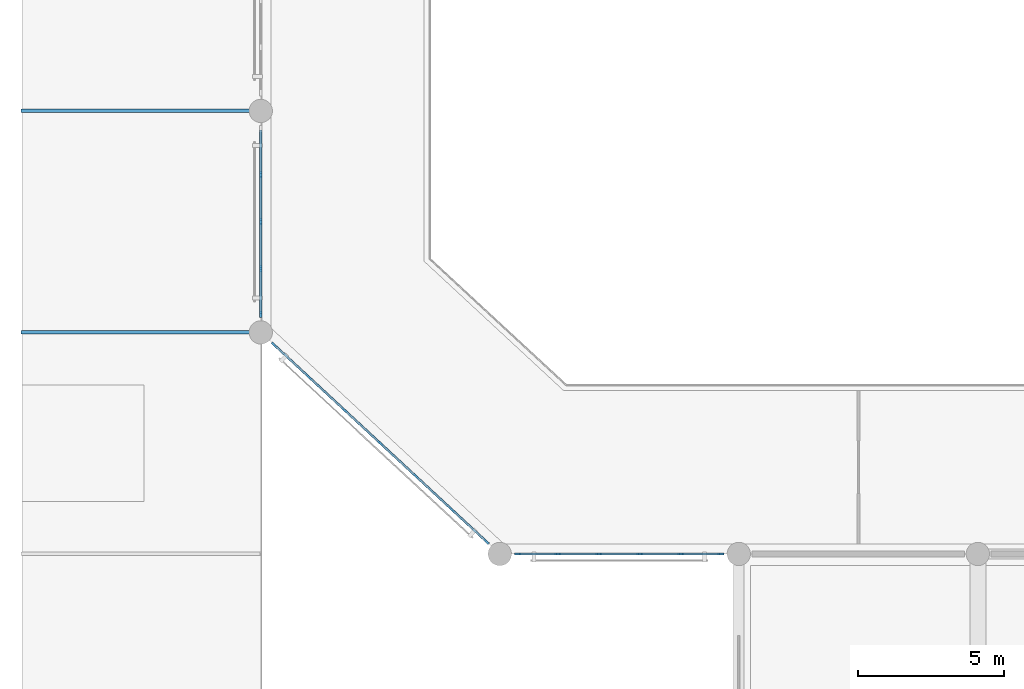
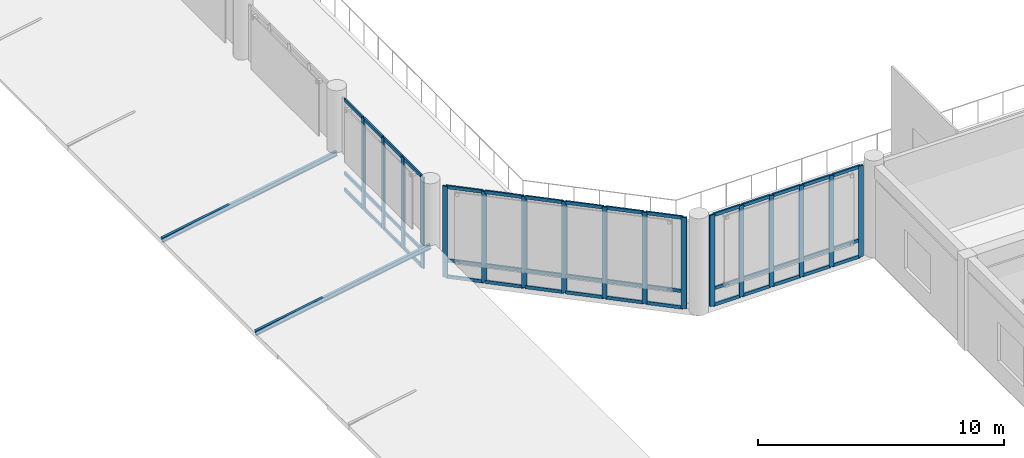
# One storey, part 5 of 57: 64 members, 3 elements without a shape of their own.
"""IFC4 building model written with IfcOpenShell, lengths in metres."""

from ifc_helpers import new_model, si_unit, direction, frame, origin, origin_2d, place, context, subcontext, project, spatial, rectangle, i_section, extrude, material, material_profile, profile_set, type_object, element, aggregate, save


model = new_model("IFC4")

# Units and contexts
model_context = context("Model", 3, precision=1e-05, world=origin(), true_north=direction((0.0, 1.0)))
body_context = subcontext(model_context, "Body", "Model", "MODEL_VIEW")
ifc_project = project(units=[si_unit("LENGTHUNIT", "METRE"), si_unit("AREAUNIT", "SQUARE_METRE"), si_unit("VOLUMEUNIT", "CUBIC_METRE"), si_unit("PLANEANGLEUNIT", "RADIAN"), si_unit("MASSUNIT", "GRAM", prefix="KILO")], contexts=[model_context])

# Site, building, storey
site_placement = place(None, origin())
site = spatial("IfcSite", under=ifc_project, at=site_placement, CompositionType="ELEMENT")
building_placement = place(site_placement, origin())
building = spatial("IfcBuilding", under=site, at=building_placement, Name="Qandaris Square Conservatory and Botanical Centre", CompositionType="ELEMENT")
storey_placement = place(building_placement, frame((0.0, 0.0, 5.39990234375)))
storey = spatial("IfcBuildingStorey", under=building, at=storey_placement, Name="L01", CompositionType="ELEMENT", Elevation=5.39990234375)

# Members
ifc_material_1 = material(Name="Steel S355", Category="steel")
ifc_material_profile_1 = material_profile(ifc_material_1, i_section(OverallWidth=0.1201171875, OverallDepth=0.239990234375, WebThickness=0.006103515625, FlangeThickness=0.009765625, FilletRadius=0.014892578125, at=origin_2d()), Name="IPE 240")
ifc_profile_set_1 = profile_set([ifc_material_profile_1], Name="Steel S355")
member_type_1 = type_object("IfcMemberType", Name="Colonnade Prairie Rafter IPE 240", PredefinedType="RAFTER", material=ifc_profile_set_1)
for number, where, z_axis, x_axis, name in (
    (1, (8.0, 54.60009765625, 0.0), (0.984924346364, 0.0, 0.172985640849), (0.0, 1.0, 0.0), "Colonnade West Rafter 044"),
    (2, (8.0, 62.199951171875, 0.0), (0.984924346364, 0.0, 0.172985640849), (0.0, 1.0, 0.0), "Colonnade West Rafter 046"),
):
    element("IfcMember", number, at=place(storey_placement, frame(where, z_axis=z_axis, x_axis=x_axis)), inside=storey, type_object=member_type_1, Name=name, PredefinedType="RAFTER", context=body_context, shape_type="SweptSolid", body=[
        extrude(i_section(OverallWidth=0.1201171875, OverallDepth=0.239990234375, WebThickness=0.006103515625, FlangeThickness=0.009765625, FilletRadius=0.014892578125, at=origin_2d()), origin(), (0.0, 0.0, 1.0), 8.325439453125),
    ])

# Curtain wall, members
ifc_material_2 = material(Name="Anodised Aluminium", Category="aluminium")
curtain_wall_type_1 = type_object("IfcCurtainWallType", Name="Unitised Curtain Wall CW-1-704x452", PredefinedType="USERDEFINED", material=ifc_material_2)
curtain_wall_1_placement = place(storey_placement, origin())
curtain_wall_1 = element("IfcCurtainWall", 3, at=curtain_wall_1_placement, inside=storey, type_object=curtain_wall_type_1, Name="Curtain Wall CW-CON-L01-0W", ObjectType="GLAZED CURTAIN WALL", PredefinedType="USERDEFINED")
ifc_material_profile_2 = material_profile(ifc_material_2, rectangle(XDim=0.074951171875, YDim=0.219970703125, at=origin_2d()), Name="ALU-MUL 75x220")
ifc_profile_set_2 = profile_set([ifc_material_profile_2], Name="Anodised Aluminium")
member_type_2 = type_object("IfcMemberType", Name="Conservatory Heavy Mullion 75x220", PredefinedType="MULLION", material=ifc_profile_set_2)
member_1_placement = place(storey_placement, frame((25.017578125, 47.0, 0.0), z_axis=(0.0, 0.0, 1.0), x_axis=(0.0, 1.0, 0.0)))
member_1 = element("IfcMember", 4, at=member_1_placement, type_object=member_type_2, Name="CW-1-704x452 mullion 1", PredefinedType="MULLION", context=body_context, shape_type="SweptSolid", body=[
    extrude(rectangle(XDim=0.074951171875, YDim=0.219970703125, at=origin_2d()), origin(), (0.0, 0.0, 1.0), 4.52001953125),
])
member_2_placement = place(storey_placement, frame((26.387939453125, 47.0, 0.0), z_axis=(0.0, 0.0, 1.0), x_axis=(0.0, 1.0, 0.0)))
member_2 = element("IfcMember", 5, at=member_2_placement, type_object=member_type_2, Name="CW-1-704x452 mullion 2", PredefinedType="MULLION", context=body_context, shape_type="SweptSolid", body=[
    extrude(rectangle(XDim=0.074951171875, YDim=0.219970703125, at=origin_2d()), origin(), (0.0, 0.0, 1.0), 4.52001953125),
])
member_3_placement = place(storey_placement, frame((27.7958984375, 47.0, 0.0), z_axis=(0.0, 0.0, 1.0), x_axis=(0.0, 1.0, 0.0)))
member_3 = element("IfcMember", 6, at=member_3_placement, type_object=member_type_2, Name="CW-1-704x452 mullion 3", PredefinedType="MULLION", context=body_context, shape_type="SweptSolid", body=[
    extrude(rectangle(XDim=0.074951171875, YDim=0.219970703125, at=origin_2d()), origin(), (0.0, 0.0, 1.0), 4.52001953125),
])
member_4_placement = place(storey_placement, frame((29.2041015625, 47.0, 0.0), z_axis=(0.0, 0.0, 1.0), x_axis=(0.0, 1.0, 0.0)))
member_4 = element("IfcMember", 7, at=member_4_placement, type_object=member_type_2, Name="CW-1-704x452 mullion 4", PredefinedType="MULLION", context=body_context, shape_type="SweptSolid", body=[
    extrude(rectangle(XDim=0.074951171875, YDim=0.219970703125, at=origin_2d()), origin(), (0.0, 0.0, 1.0), 4.52001953125),
])
member_5_placement = place(storey_placement, frame((30.612060546875, 47.0, 0.0), z_axis=(0.0, 0.0, 1.0), x_axis=(0.0, 1.0, 0.0)))
member_5 = element("IfcMember", 8, at=member_5_placement, type_object=member_type_2, Name="CW-1-704x452 mullion 5", PredefinedType="MULLION", context=body_context, shape_type="SweptSolid", body=[
    extrude(rectangle(XDim=0.074951171875, YDim=0.219970703125, at=origin_2d()), origin(), (0.0, 0.0, 1.0), 4.52001953125),
])
member_6_placement = place(storey_placement, frame((31.982421875, 47.0, 0.0), z_axis=(0.0, 0.0, 1.0), x_axis=(0.0, 1.0, 0.0)))
member_6 = element("IfcMember", 9, at=member_6_placement, type_object=member_type_2, Name="CW-1-704x452 mullion 6", PredefinedType="MULLION", context=body_context, shape_type="SweptSolid", body=[
    extrude(rectangle(XDim=0.074951171875, YDim=0.219970703125, at=origin_2d()), origin(), (0.0, 0.0, 1.0), 4.52001953125),
])

curtain_wall_type_2 = type_object("IfcCurtainWallType", Name="Unitised Curtain Wall CW-1-644x452", PredefinedType="USERDEFINED", material=ifc_material_2)
curtain_wall_2_placement = place(storey_placement, origin())
curtain_wall_2 = element("IfcCurtainWall", 10, at=curtain_wall_2_placement, inside=storey, type_object=curtain_wall_type_2, Name="Curtain Wall CW-CON-L01-7-7", ObjectType="GLAZED CURTAIN WALL", PredefinedType="USERDEFINED")
member_7_placement = place(storey_placement, frame((16.199951171875, 60.010009765625, 0.0), z_axis=(0.0, 0.0, 1.0), x_axis=(1.0, 0.0, 0.0)))
member_7 = element("IfcMember", 11, at=member_7_placement, type_object=member_type_2, Name="CW-1-644x452 mullion 2", PredefinedType="MULLION", context=body_context, shape_type="SweptSolid", body=[
    extrude(rectangle(XDim=0.074951171875, YDim=0.219970703125, at=origin_2d()), origin(), (0.0, 0.0, 1.0), 4.52001953125),
])
member_8_placement = place(storey_placement, frame((16.199951171875, 58.39990234375, 0.0), z_axis=(0.0, 0.0, 1.0), x_axis=(1.0, 0.0, 0.0)))
member_8 = element("IfcMember", 12, at=member_8_placement, type_object=member_type_2, Name="CW-1-644x452 mullion 3", PredefinedType="MULLION", context=body_context, shape_type="SweptSolid", body=[
    extrude(rectangle(XDim=0.074951171875, YDim=0.219970703125, at=origin_2d()), origin(), (0.0, 0.0, 1.0), 4.52001953125),
])
member_9_placement = place(storey_placement, frame((16.199951171875, 56.7900390625, 0.0), z_axis=(0.0, 0.0, 1.0), x_axis=(1.0, 0.0, 0.0)))
member_9 = element("IfcMember", 13, at=member_9_placement, type_object=member_type_2, Name="CW-1-644x452 mullion 4", PredefinedType="MULLION", context=body_context, shape_type="SweptSolid", body=[
    extrude(rectangle(XDim=0.074951171875, YDim=0.219970703125, at=origin_2d()), origin(), (0.0, 0.0, 1.0), 4.52001953125),
])
member_10_placement = place(storey_placement, frame((16.199951171875, 55.217529296875, 0.0), z_axis=(0.0, 0.0, 1.0), x_axis=(1.0, 0.0, 0.0)))
member_10 = element("IfcMember", 14, at=member_10_placement, type_object=member_type_2, Name="CW-1-644x452 mullion 5", PredefinedType="MULLION", context=body_context, shape_type="SweptSolid", body=[
    extrude(rectangle(XDim=0.074951171875, YDim=0.219970703125, at=origin_2d()), origin(), (0.0, 0.0, 1.0), 4.52001953125),
])

curtain_wall_type_3 = type_object("IfcCurtainWallType", Name="Unitised Curtain Wall CW-1-1002x452", PredefinedType="USERDEFINED", material=ifc_material_2)
curtain_wall_3_placement = place(storey_placement, origin())
curtain_wall_3 = element("IfcCurtainWall", 15, at=curtain_wall_3_placement, inside=storey, type_object=curtain_wall_type_3, Name="Curtain Wall CW-CON-L01-8-1", ObjectType="GLAZED CURTAIN WALL", PredefinedType="USERDEFINED")
member_11_placement = place(storey_placement, frame((16.65283203125, 54.18017578125, 0.0), z_axis=(0.0, 0.0, 1.0), x_axis=(0.679761784592, 0.733432966404, 0.0)))
member_11 = element("IfcMember", 16, at=member_11_placement, type_object=member_type_2, Name="CW-1-1002x452 mullion 1", PredefinedType="MULLION", context=body_context, shape_type="SweptSolid", body=[
    extrude(rectangle(XDim=0.074951171875, YDim=0.219970703125, at=origin_2d()), origin(), (0.0, 0.0, 1.0), 4.52001953125),
])
member_12_placement = place(storey_placement, frame((17.850341796875, 53.070556640625, 0.0), z_axis=(0.0, 0.0, 1.0), x_axis=(0.679761784592, 0.733432966404, 0.0)))
member_12 = element("IfcMember", 17, at=member_12_placement, type_object=member_type_2, Name="CW-1-1002x452 mullion 2", PredefinedType="MULLION", context=body_context, shape_type="SweptSolid", body=[
    extrude(rectangle(XDim=0.074951171875, YDim=0.219970703125, at=origin_2d()), origin(), (0.0, 0.0, 1.0), 4.52001953125),
])
member_13_placement = place(storey_placement, frame((19.0751953125, 51.935302734375, 0.0), z_axis=(0.0, 0.0, 1.0), x_axis=(0.679761784592, 0.733432966404, 0.0)))
member_13 = element("IfcMember", 18, at=member_13_placement, type_object=member_type_2, Name="CW-1-1002x452 mullion 3", PredefinedType="MULLION", context=body_context, shape_type="SweptSolid", body=[
    extrude(rectangle(XDim=0.074951171875, YDim=0.219970703125, at=origin_2d()), origin(), (0.0, 0.0, 1.0), 4.52001953125),
])
member_14_placement = place(storey_placement, frame((20.300048828125, 50.800048828125, 0.0), z_axis=(0.0, 0.0, 1.0), x_axis=(0.679761784592, 0.733432966404, 0.0)))
member_14 = element("IfcMember", 19, at=member_14_placement, type_object=member_type_2, Name="CW-1-1002x452 mullion 4", PredefinedType="MULLION", context=body_context, shape_type="SweptSolid", body=[
    extrude(rectangle(XDim=0.074951171875, YDim=0.219970703125, at=origin_2d()), origin(), (0.0, 0.0, 1.0), 4.52001953125),
])
member_15_placement = place(storey_placement, frame((21.52490234375, 49.664794921875, 0.0), z_axis=(0.0, 0.0, 1.0), x_axis=(0.679761784592, 0.733432966404, 0.0)))
member_15 = element("IfcMember", 20, at=member_15_placement, type_object=member_type_2, Name="CW-1-1002x452 mullion 5", PredefinedType="MULLION", context=body_context, shape_type="SweptSolid", body=[
    extrude(rectangle(XDim=0.074951171875, YDim=0.219970703125, at=origin_2d()), origin(), (0.0, 0.0, 1.0), 4.52001953125),
])
member_16_placement = place(storey_placement, frame((22.749755859375, 48.529541015625, 0.0), z_axis=(0.0, 0.0, 1.0), x_axis=(0.679761784592, 0.733432966404, 0.0)))
member_16 = element("IfcMember", 21, at=member_16_placement, type_object=member_type_2, Name="CW-1-1002x452 mullion 6", PredefinedType="MULLION", context=body_context, shape_type="SweptSolid", body=[
    extrude(rectangle(XDim=0.074951171875, YDim=0.219970703125, at=origin_2d()), origin(), (0.0, 0.0, 1.0), 4.52001953125),
])
member_17_placement = place(storey_placement, frame((23.947021484375, 47.419677734375, 0.0), z_axis=(0.0, 0.0, 1.0), x_axis=(0.679761784592, 0.733432966404, 0.0)))
member_17 = element("IfcMember", 22, at=member_17_placement, type_object=member_type_2, Name="CW-1-1002x452 mullion 7", PredefinedType="MULLION", context=body_context, shape_type="SweptSolid", body=[
    extrude(rectangle(XDim=0.074951171875, YDim=0.219970703125, at=origin_2d()), origin(), (0.0, 0.0, 1.0), 4.52001953125),
])

# Member
ifc_material_profile_3 = material_profile(ifc_material_2, rectangle(XDim=0.074951171875, YDim=0.159912109375, at=origin_2d()), Name="ALU-TRN 75x160")
ifc_profile_set_3 = profile_set([ifc_material_profile_3], Name="Anodised Aluminium")
member_type_3 = type_object("IfcMemberType", Name="Conservatory Heavy Transom 75x160", PredefinedType="USERDEFINED", material=ifc_profile_set_3)
member_18_placement = place(storey_placement, frame((25.054931640625, 47.0, 0.03759765625), z_axis=(1.0, 0.0, 0.0), x_axis=(0.0, 1.0, 0.0)))
member_18 = element("IfcMember", 23, at=member_18_placement, type_object=member_type_3, Name="CW-1-704x452 transom 1.1", ObjectType="TRANSOM", PredefinedType="USERDEFINED", context=body_context, shape_type="SweptSolid", body=[
    extrude(rectangle(XDim=0.074951171875, YDim=0.159912109375, at=origin_2d()), origin(), (0.0, 0.0, 1.0), 1.295654296875),
])

member_19_placement = place(storey_placement, frame((25.054931640625, 47.0, 0.85009765625), z_axis=(1.0, 0.0, 0.0), x_axis=(0.0, 1.0, 0.0)))
member_19 = element("IfcMember", 24, at=member_19_placement, type_object=member_type_3, Name="CW-1-704x452 transom 1.2", ObjectType="TRANSOM", PredefinedType="USERDEFINED", context=body_context, shape_type="SweptSolid", body=[
    extrude(rectangle(XDim=0.074951171875, YDim=0.159912109375, at=origin_2d()), origin(), (0.0, 0.0, 1.0), 1.295654296875),
])

member_20_placement = place(storey_placement, frame((25.054931640625, 47.0, 4.482666015625), z_axis=(1.0, 0.0, 0.0), x_axis=(0.0, 1.0, 0.0)))
member_20 = element("IfcMember", 25, at=member_20_placement, type_object=member_type_3, Name="CW-1-704x452 transom 1.3", ObjectType="TRANSOM", PredefinedType="USERDEFINED", context=body_context, shape_type="SweptSolid", body=[
    extrude(rectangle(XDim=0.074951171875, YDim=0.159912109375, at=origin_2d()), origin(), (0.0, 0.0, 1.0), 1.295654296875),
])

member_21_placement = place(storey_placement, frame((26.425537109375, 47.0, 0.03759765625), z_axis=(1.0, 0.0, 0.0), x_axis=(0.0, 1.0, 0.0)))
member_21 = element("IfcMember", 26, at=member_21_placement, type_object=member_type_3, Name="CW-1-704x452 transom 2.1", ObjectType="TRANSOM", PredefinedType="USERDEFINED", context=body_context, shape_type="SweptSolid", body=[
    extrude(rectangle(XDim=0.074951171875, YDim=0.159912109375, at=origin_2d()), origin(), (0.0, 0.0, 1.0), 1.3330078125),
])

member_22_placement = place(storey_placement, frame((26.425537109375, 47.0, 0.85009765625), z_axis=(1.0, 0.0, 0.0), x_axis=(0.0, 1.0, 0.0)))
member_22 = element("IfcMember", 27, at=member_22_placement, type_object=member_type_3, Name="CW-1-704x452 transom 2.2", ObjectType="TRANSOM", PredefinedType="USERDEFINED", context=body_context, shape_type="SweptSolid", body=[
    extrude(rectangle(XDim=0.074951171875, YDim=0.159912109375, at=origin_2d()), origin(), (0.0, 0.0, 1.0), 1.3330078125),
])

member_23_placement = place(storey_placement, frame((26.425537109375, 47.0, 4.482666015625), z_axis=(1.0, 0.0, 0.0), x_axis=(0.0, 1.0, 0.0)))
member_23 = element("IfcMember", 28, at=member_23_placement, type_object=member_type_3, Name="CW-1-704x452 transom 2.3", ObjectType="TRANSOM", PredefinedType="USERDEFINED", context=body_context, shape_type="SweptSolid", body=[
    extrude(rectangle(XDim=0.074951171875, YDim=0.159912109375, at=origin_2d()), origin(), (0.0, 0.0, 1.0), 1.3330078125),
])

member_24_placement = place(storey_placement, frame((27.83349609375, 47.0, 0.03759765625), z_axis=(1.0, 0.0, 0.0), x_axis=(0.0, 1.0, 0.0)))
member_24 = element("IfcMember", 29, at=member_24_placement, type_object=member_type_3, Name="CW-1-704x452 transom 3.1", ObjectType="TRANSOM", PredefinedType="USERDEFINED", context=body_context, shape_type="SweptSolid", body=[
    extrude(rectangle(XDim=0.074951171875, YDim=0.159912109375, at=origin_2d()), origin(), (0.0, 0.0, 1.0), 1.3330078125),
])

member_25_placement = place(storey_placement, frame((27.83349609375, 47.0, 0.85009765625), z_axis=(1.0, 0.0, 0.0), x_axis=(0.0, 1.0, 0.0)))
member_25 = element("IfcMember", 30, at=member_25_placement, type_object=member_type_3, Name="CW-1-704x452 transom 3.2", ObjectType="TRANSOM", PredefinedType="USERDEFINED", context=body_context, shape_type="SweptSolid", body=[
    extrude(rectangle(XDim=0.074951171875, YDim=0.159912109375, at=origin_2d()), origin(), (0.0, 0.0, 1.0), 1.3330078125),
])

member_26_placement = place(storey_placement, frame((27.83349609375, 47.0, 4.482666015625), z_axis=(1.0, 0.0, 0.0), x_axis=(0.0, 1.0, 0.0)))
member_26 = element("IfcMember", 31, at=member_26_placement, type_object=member_type_3, Name="CW-1-704x452 transom 3.3", ObjectType="TRANSOM", PredefinedType="USERDEFINED", context=body_context, shape_type="SweptSolid", body=[
    extrude(rectangle(XDim=0.074951171875, YDim=0.159912109375, at=origin_2d()), origin(), (0.0, 0.0, 1.0), 1.3330078125),
])

member_27_placement = place(storey_placement, frame((29.241455078125, 47.0, 0.03759765625), z_axis=(1.0, 0.0, 0.0), x_axis=(0.0, 1.0, 0.0)))
member_27 = element("IfcMember", 32, at=member_27_placement, type_object=member_type_3, Name="CW-1-704x452 transom 4.1", ObjectType="TRANSOM", PredefinedType="USERDEFINED", context=body_context, shape_type="SweptSolid", body=[
    extrude(rectangle(XDim=0.074951171875, YDim=0.159912109375, at=origin_2d()), origin(), (0.0, 0.0, 1.0), 1.3330078125),
])

member_28_placement = place(storey_placement, frame((29.241455078125, 47.0, 0.85009765625), z_axis=(1.0, 0.0, 0.0), x_axis=(0.0, 1.0, 0.0)))
member_28 = element("IfcMember", 33, at=member_28_placement, type_object=member_type_3, Name="CW-1-704x452 transom 4.2", ObjectType="TRANSOM", PredefinedType="USERDEFINED", context=body_context, shape_type="SweptSolid", body=[
    extrude(rectangle(XDim=0.074951171875, YDim=0.159912109375, at=origin_2d()), origin(), (0.0, 0.0, 1.0), 1.3330078125),
])

member_29_placement = place(storey_placement, frame((29.241455078125, 47.0, 4.482666015625), z_axis=(1.0, 0.0, 0.0), x_axis=(0.0, 1.0, 0.0)))
member_29 = element("IfcMember", 34, at=member_29_placement, type_object=member_type_3, Name="CW-1-704x452 transom 4.3", ObjectType="TRANSOM", PredefinedType="USERDEFINED", context=body_context, shape_type="SweptSolid", body=[
    extrude(rectangle(XDim=0.074951171875, YDim=0.159912109375, at=origin_2d()), origin(), (0.0, 0.0, 1.0), 1.3330078125),
])

member_30_placement = place(storey_placement, frame((30.6494140625, 47.0, 0.03759765625), z_axis=(1.0, 0.0, 0.0), x_axis=(0.0, 1.0, 0.0)))
member_30 = element("IfcMember", 35, at=member_30_placement, type_object=member_type_3, Name="CW-1-704x452 transom 5.1", ObjectType="TRANSOM", PredefinedType="USERDEFINED", context=body_context, shape_type="SweptSolid", body=[
    extrude(rectangle(XDim=0.074951171875, YDim=0.159912109375, at=origin_2d()), origin(), (0.0, 0.0, 1.0), 1.295654296875),
])

member_31_placement = place(storey_placement, frame((30.6494140625, 47.0, 0.85009765625), z_axis=(1.0, 0.0, 0.0), x_axis=(0.0, 1.0, 0.0)))
member_31 = element("IfcMember", 36, at=member_31_placement, type_object=member_type_3, Name="CW-1-704x452 transom 5.2", ObjectType="TRANSOM", PredefinedType="USERDEFINED", context=body_context, shape_type="SweptSolid", body=[
    extrude(rectangle(XDim=0.074951171875, YDim=0.159912109375, at=origin_2d()), origin(), (0.0, 0.0, 1.0), 1.295654296875),
])

member_32_placement = place(storey_placement, frame((30.6494140625, 47.0, 4.482666015625), z_axis=(1.0, 0.0, 0.0), x_axis=(0.0, 1.0, 0.0)))
member_32 = element("IfcMember", 37, at=member_32_placement, type_object=member_type_3, Name="CW-1-704x452 transom 5.3", ObjectType="TRANSOM", PredefinedType="USERDEFINED", context=body_context, shape_type="SweptSolid", body=[
    extrude(rectangle(XDim=0.074951171875, YDim=0.159912109375, at=origin_2d()), origin(), (0.0, 0.0, 1.0), 1.295654296875),
])

aggregate(curtain_wall_1, [member_1, member_2, member_3, member_4, member_5, member_6, member_18, member_19, member_20, member_21, member_22, member_23, member_24, member_25, member_26, member_27, member_28, member_29, member_30, member_31, member_32])

member_33_placement = place(storey_placement, frame((16.199951171875, 61.544921875, 0.03759765625), z_axis=(0.0, -1.0, 0.0), x_axis=(1.0, 0.0, 0.0)))
member_33 = element("IfcMember", 38, at=member_33_placement, type_object=member_type_3, Name="CW-1-644x452 transom 1.1", ObjectType="TRANSOM", PredefinedType="USERDEFINED", context=body_context, shape_type="SweptSolid", body=[
    extrude(rectangle(XDim=0.074951171875, YDim=0.159912109375, at=origin_2d()), origin(), (0.0, 0.0, 1.0), 1.497314453125),
])

member_34_placement = place(storey_placement, frame((16.199951171875, 61.544921875, 0.85009765625), z_axis=(0.0, -1.0, 0.0), x_axis=(1.0, 0.0, 0.0)))
member_34 = element("IfcMember", 39, at=member_34_placement, type_object=member_type_3, Name="CW-1-644x452 transom 1.2", ObjectType="TRANSOM", PredefinedType="USERDEFINED", context=body_context, shape_type="SweptSolid", body=[
    extrude(rectangle(XDim=0.074951171875, YDim=0.159912109375, at=origin_2d()), origin(), (0.0, 0.0, 1.0), 1.497314453125),
])

member_35_placement = place(storey_placement, frame((16.199951171875, 61.544921875, 4.482666015625), z_axis=(0.0, -1.0, 0.0), x_axis=(1.0, 0.0, 0.0)))
member_35 = element("IfcMember", 40, at=member_35_placement, type_object=member_type_3, Name="CW-1-644x452 transom 1.3", ObjectType="TRANSOM", PredefinedType="USERDEFINED", context=body_context, shape_type="SweptSolid", body=[
    extrude(rectangle(XDim=0.074951171875, YDim=0.159912109375, at=origin_2d()), origin(), (0.0, 0.0, 1.0), 1.497314453125),
])

member_36_placement = place(storey_placement, frame((16.199951171875, 59.972412109375, 0.03759765625), z_axis=(0.0, -1.0, 0.0), x_axis=(1.0, 0.0, 0.0)))
member_36 = element("IfcMember", 41, at=member_36_placement, type_object=member_type_3, Name="CW-1-644x452 transom 2.1", ObjectType="TRANSOM", PredefinedType="USERDEFINED", context=body_context, shape_type="SweptSolid", body=[
    extrude(rectangle(XDim=0.074951171875, YDim=0.159912109375, at=origin_2d()), origin(), (0.0, 0.0, 1.0), 1.534912109375),
])

member_37_placement = place(storey_placement, frame((16.199951171875, 59.972412109375, 0.85009765625), z_axis=(0.0, -1.0, 0.0), x_axis=(1.0, 0.0, 0.0)))
member_37 = element("IfcMember", 42, at=member_37_placement, type_object=member_type_3, Name="CW-1-644x452 transom 2.2", ObjectType="TRANSOM", PredefinedType="USERDEFINED", context=body_context, shape_type="SweptSolid", body=[
    extrude(rectangle(XDim=0.074951171875, YDim=0.159912109375, at=origin_2d()), origin(), (0.0, 0.0, 1.0), 1.534912109375),
])

member_38_placement = place(storey_placement, frame((16.199951171875, 59.972412109375, 4.482666015625), z_axis=(0.0, -1.0, 0.0), x_axis=(1.0, 0.0, 0.0)))
member_38 = element("IfcMember", 43, at=member_38_placement, type_object=member_type_3, Name="CW-1-644x452 transom 2.3", ObjectType="TRANSOM", PredefinedType="USERDEFINED", context=body_context, shape_type="SweptSolid", body=[
    extrude(rectangle(XDim=0.074951171875, YDim=0.159912109375, at=origin_2d()), origin(), (0.0, 0.0, 1.0), 1.534912109375),
])

member_39_placement = place(storey_placement, frame((16.199951171875, 58.362548828125, 0.03759765625), z_axis=(0.0, -1.0, 0.0), x_axis=(1.0, 0.0, 0.0)))
member_39 = element("IfcMember", 44, at=member_39_placement, type_object=member_type_3, Name="CW-1-644x452 transom 3.1", ObjectType="TRANSOM", PredefinedType="USERDEFINED", context=body_context, shape_type="SweptSolid", body=[
    extrude(rectangle(XDim=0.074951171875, YDim=0.159912109375, at=origin_2d()), origin(), (0.0, 0.0, 1.0), 1.53515625),
])

member_40_placement = place(storey_placement, frame((16.199951171875, 58.362548828125, 0.85009765625), z_axis=(0.0, -1.0, 0.0), x_axis=(1.0, 0.0, 0.0)))
member_40 = element("IfcMember", 45, at=member_40_placement, type_object=member_type_3, Name="CW-1-644x452 transom 3.2", ObjectType="TRANSOM", PredefinedType="USERDEFINED", context=body_context, shape_type="SweptSolid", body=[
    extrude(rectangle(XDim=0.074951171875, YDim=0.159912109375, at=origin_2d()), origin(), (0.0, 0.0, 1.0), 1.53515625),
])

member_41_placement = place(storey_placement, frame((16.199951171875, 58.362548828125, 4.482666015625), z_axis=(0.0, -1.0, 0.0), x_axis=(1.0, 0.0, 0.0)))
member_41 = element("IfcMember", 46, at=member_41_placement, type_object=member_type_3, Name="CW-1-644x452 transom 3.3", ObjectType="TRANSOM", PredefinedType="USERDEFINED", context=body_context, shape_type="SweptSolid", body=[
    extrude(rectangle(XDim=0.074951171875, YDim=0.159912109375, at=origin_2d()), origin(), (0.0, 0.0, 1.0), 1.53515625),
])

member_42_placement = place(storey_placement, frame((16.199951171875, 56.75244140625, 0.03759765625), z_axis=(0.0, -1.0, 0.0), x_axis=(1.0, 0.0, 0.0)))
member_42 = element("IfcMember", 47, at=member_42_placement, type_object=member_type_3, Name="CW-1-644x452 transom 4.1", ObjectType="TRANSOM", PredefinedType="USERDEFINED", context=body_context, shape_type="SweptSolid", body=[
    extrude(rectangle(XDim=0.074951171875, YDim=0.159912109375, at=origin_2d()), origin(), (0.0, 0.0, 1.0), 1.49755859375),
])

member_43_placement = place(storey_placement, frame((16.199951171875, 56.75244140625, 0.85009765625), z_axis=(0.0, -1.0, 0.0), x_axis=(1.0, 0.0, 0.0)))
member_43 = element("IfcMember", 48, at=member_43_placement, type_object=member_type_3, Name="CW-1-644x452 transom 4.2", ObjectType="TRANSOM", PredefinedType="USERDEFINED", context=body_context, shape_type="SweptSolid", body=[
    extrude(rectangle(XDim=0.074951171875, YDim=0.159912109375, at=origin_2d()), origin(), (0.0, 0.0, 1.0), 1.49755859375),
])

member_44_placement = place(storey_placement, frame((16.199951171875, 56.75244140625, 4.482666015625), z_axis=(0.0, -1.0, 0.0), x_axis=(1.0, 0.0, 0.0)))
member_44 = element("IfcMember", 49, at=member_44_placement, type_object=member_type_3, Name="CW-1-644x452 transom 4.3", ObjectType="TRANSOM", PredefinedType="USERDEFINED", context=body_context, shape_type="SweptSolid", body=[
    extrude(rectangle(XDim=0.074951171875, YDim=0.159912109375, at=origin_2d()), origin(), (0.0, 0.0, 1.0), 1.49755859375),
])

aggregate(curtain_wall_2, [member_7, member_8, member_9, member_10, member_33, member_34, member_35, member_36, member_37, member_38, member_39, member_40, member_41, member_42, member_43, member_44])

member_45_placement = place(storey_placement, frame((16.680419921875, 54.15478515625, 0.03759765625), z_axis=(0.733401706001, -0.679795511632, 0.0), x_axis=(0.679795511632, 0.733401706001, 0.0)))
member_45 = element("IfcMember", 50, at=member_45_placement, type_object=member_type_3, Name="CW-1-1002x452 transom 1.1", ObjectType="TRANSOM", PredefinedType="USERDEFINED", context=body_context, shape_type="SweptSolid", body=[
    extrude(rectangle(XDim=0.074951171875, YDim=0.159912109375, at=origin_2d()), origin(), (0.0, 0.0, 1.0), 1.5576171875),
])

member_46_placement = place(storey_placement, frame((16.680419921875, 54.15478515625, 0.85009765625), z_axis=(0.733401706001, -0.679795511632, 0.0), x_axis=(0.679795511632, 0.733401706001, 0.0)))
member_46 = element("IfcMember", 51, at=member_46_placement, type_object=member_type_3, Name="CW-1-1002x452 transom 1.2", ObjectType="TRANSOM", PredefinedType="USERDEFINED", context=body_context, shape_type="SweptSolid", body=[
    extrude(rectangle(XDim=0.074951171875, YDim=0.159912109375, at=origin_2d()), origin(), (0.0, 0.0, 1.0), 1.5576171875),
])

member_47_placement = place(storey_placement, frame((16.680419921875, 54.15478515625, 4.482666015625), z_axis=(0.733401706001, -0.679795511632, 0.0), x_axis=(0.679795511632, 0.733401706001, 0.0)))
member_47 = element("IfcMember", 52, at=member_47_placement, type_object=member_type_3, Name="CW-1-1002x452 transom 1.3", ObjectType="TRANSOM", PredefinedType="USERDEFINED", context=body_context, shape_type="SweptSolid", body=[
    extrude(rectangle(XDim=0.074951171875, YDim=0.159912109375, at=origin_2d()), origin(), (0.0, 0.0, 1.0), 1.5576171875),
])

member_48_placement = place(storey_placement, frame((17.877685546875, 53.044921875, 0.03759765625), z_axis=(0.733458213943, -0.679734542597, 0.0), x_axis=(0.679734542597, 0.733458213943, 0.0)))
member_48 = element("IfcMember", 53, at=member_48_placement, type_object=member_type_3, Name="CW-1-1002x452 transom 2.1", ObjectType="TRANSOM", PredefinedType="USERDEFINED", context=body_context, shape_type="SweptSolid", body=[
    extrude(rectangle(XDim=0.074951171875, YDim=0.159912109375, at=origin_2d()), origin(), (0.0, 0.0, 1.0), 1.594970703125),
])

member_49_placement = place(storey_placement, frame((17.877685546875, 53.044921875, 0.85009765625), z_axis=(0.733458213943, -0.679734542597, 0.0), x_axis=(0.679734542597, 0.733458213943, 0.0)))
member_49 = element("IfcMember", 54, at=member_49_placement, type_object=member_type_3, Name="CW-1-1002x452 transom 2.2", ObjectType="TRANSOM", PredefinedType="USERDEFINED", context=body_context, shape_type="SweptSolid", body=[
    extrude(rectangle(XDim=0.074951171875, YDim=0.159912109375, at=origin_2d()), origin(), (0.0, 0.0, 1.0), 1.594970703125),
])

member_50_placement = place(storey_placement, frame((17.877685546875, 53.044921875, 4.482666015625), z_axis=(0.733458213943, -0.679734542597, 0.0), x_axis=(0.679734542597, 0.733458213943, 0.0)))
member_50 = element("IfcMember", 55, at=member_50_placement, type_object=member_type_3, Name="CW-1-1002x452 transom 2.3", ObjectType="TRANSOM", PredefinedType="USERDEFINED", context=body_context, shape_type="SweptSolid", body=[
    extrude(rectangle(XDim=0.074951171875, YDim=0.159912109375, at=origin_2d()), origin(), (0.0, 0.0, 1.0), 1.594970703125),
])

member_51_placement = place(storey_placement, frame((19.1025390625, 51.90966796875, 0.03759765625), z_axis=(0.733458213943, -0.679734542597, 0.0), x_axis=(0.679734542597, 0.733458213943, 0.0)))
member_51 = element("IfcMember", 56, at=member_51_placement, type_object=member_type_3, Name="CW-1-1002x452 transom 3.1", ObjectType="TRANSOM", PredefinedType="USERDEFINED", context=body_context, shape_type="SweptSolid", body=[
    extrude(rectangle(XDim=0.074951171875, YDim=0.159912109375, at=origin_2d()), origin(), (0.0, 0.0, 1.0), 1.594970703125),
])

member_52_placement = place(storey_placement, frame((19.1025390625, 51.90966796875, 0.85009765625), z_axis=(0.733458213943, -0.679734542597, 0.0), x_axis=(0.679734542597, 0.733458213943, 0.0)))
member_52 = element("IfcMember", 57, at=member_52_placement, type_object=member_type_3, Name="CW-1-1002x452 transom 3.2", ObjectType="TRANSOM", PredefinedType="USERDEFINED", context=body_context, shape_type="SweptSolid", body=[
    extrude(rectangle(XDim=0.074951171875, YDim=0.159912109375, at=origin_2d()), origin(), (0.0, 0.0, 1.0), 1.594970703125),
])

member_53_placement = place(storey_placement, frame((19.1025390625, 51.90966796875, 4.482666015625), z_axis=(0.733458213943, -0.679734542597, 0.0), x_axis=(0.679734542597, 0.733458213943, 0.0)))
member_53 = element("IfcMember", 58, at=member_53_placement, type_object=member_type_3, Name="CW-1-1002x452 transom 3.3", ObjectType="TRANSOM", PredefinedType="USERDEFINED", context=body_context, shape_type="SweptSolid", body=[
    extrude(rectangle(XDim=0.074951171875, YDim=0.159912109375, at=origin_2d()), origin(), (0.0, 0.0, 1.0), 1.594970703125),
])

member_54_placement = place(storey_placement, frame((20.327392578125, 50.7744140625, 0.03759765625), z_axis=(0.733458213943, -0.679734542597, 0.0), x_axis=(0.679734542597, 0.733458213943, 0.0)))
member_54 = element("IfcMember", 59, at=member_54_placement, type_object=member_type_3, Name="CW-1-1002x452 transom 4.1", ObjectType="TRANSOM", PredefinedType="USERDEFINED", context=body_context, shape_type="SweptSolid", body=[
    extrude(rectangle(XDim=0.074951171875, YDim=0.159912109375, at=origin_2d()), origin(), (0.0, 0.0, 1.0), 1.594970703125),
])

member_55_placement = place(storey_placement, frame((20.327392578125, 50.7744140625, 0.85009765625), z_axis=(0.733458213943, -0.679734542597, 0.0), x_axis=(0.679734542597, 0.733458213943, 0.0)))
member_55 = element("IfcMember", 60, at=member_55_placement, type_object=member_type_3, Name="CW-1-1002x452 transom 4.2", ObjectType="TRANSOM", PredefinedType="USERDEFINED", context=body_context, shape_type="SweptSolid", body=[
    extrude(rectangle(XDim=0.074951171875, YDim=0.159912109375, at=origin_2d()), origin(), (0.0, 0.0, 1.0), 1.594970703125),
])

member_56_placement = place(storey_placement, frame((20.327392578125, 50.7744140625, 4.482666015625), z_axis=(0.733458213943, -0.679734542597, 0.0), x_axis=(0.679734542597, 0.733458213943, 0.0)))
member_56 = element("IfcMember", 61, at=member_56_placement, type_object=member_type_3, Name="CW-1-1002x452 transom 4.3", ObjectType="TRANSOM", PredefinedType="USERDEFINED", context=body_context, shape_type="SweptSolid", body=[
    extrude(rectangle(XDim=0.074951171875, YDim=0.159912109375, at=origin_2d()), origin(), (0.0, 0.0, 1.0), 1.594970703125),
])

member_57_placement = place(storey_placement, frame((21.552490234375, 49.63916015625, 0.03759765625), z_axis=(0.733387482848, -0.679810856049, 0.0), x_axis=(0.679810856049, 0.733387482848, 0.0)))
member_57 = element("IfcMember", 62, at=member_57_placement, type_object=member_type_3, Name="CW-1-1002x452 transom 5.1", ObjectType="TRANSOM", PredefinedType="USERDEFINED", context=body_context, shape_type="SweptSolid", body=[
    extrude(rectangle(XDim=0.074951171875, YDim=0.159912109375, at=origin_2d()), origin(), (0.0, 0.0, 1.0), 1.594970703125),
])

member_58_placement = place(storey_placement, frame((21.552490234375, 49.63916015625, 0.85009765625), z_axis=(0.733387482848, -0.679810856049, 0.0), x_axis=(0.679810856049, 0.733387482848, 0.0)))
member_58 = element("IfcMember", 63, at=member_58_placement, type_object=member_type_3, Name="CW-1-1002x452 transom 5.2", ObjectType="TRANSOM", PredefinedType="USERDEFINED", context=body_context, shape_type="SweptSolid", body=[
    extrude(rectangle(XDim=0.074951171875, YDim=0.159912109375, at=origin_2d()), origin(), (0.0, 0.0, 1.0), 1.594970703125),
])

member_59_placement = place(storey_placement, frame((21.552490234375, 49.63916015625, 4.482666015625), z_axis=(0.733387482848, -0.679810856049, 0.0), x_axis=(0.679810856049, 0.733387482848, 0.0)))
member_59 = element("IfcMember", 64, at=member_59_placement, type_object=member_type_3, Name="CW-1-1002x452 transom 5.3", ObjectType="TRANSOM", PredefinedType="USERDEFINED", context=body_context, shape_type="SweptSolid", body=[
    extrude(rectangle(XDim=0.074951171875, YDim=0.159912109375, at=origin_2d()), origin(), (0.0, 0.0, 1.0), 1.594970703125),
])

member_60_placement = place(storey_placement, frame((22.77734375, 48.504150390625, 0.03759765625), z_axis=(0.733401706001, -0.679795511632, 0.0), x_axis=(0.679795511632, 0.733401706001, 0.0)))
member_60 = element("IfcMember", 65, at=member_60_placement, type_object=member_type_3, Name="CW-1-1002x452 transom 6.1", ObjectType="TRANSOM", PredefinedType="USERDEFINED", context=body_context, shape_type="SweptSolid", body=[
    extrude(rectangle(XDim=0.074951171875, YDim=0.159912109375, at=origin_2d()), origin(), (0.0, 0.0, 1.0), 1.5576171875),
])

member_61_placement = place(storey_placement, frame((22.77734375, 48.504150390625, 0.85009765625), z_axis=(0.733401706001, -0.679795511632, 0.0), x_axis=(0.679795511632, 0.733401706001, 0.0)))
member_61 = element("IfcMember", 66, at=member_61_placement, type_object=member_type_3, Name="CW-1-1002x452 transom 6.2", ObjectType="TRANSOM", PredefinedType="USERDEFINED", context=body_context, shape_type="SweptSolid", body=[
    extrude(rectangle(XDim=0.074951171875, YDim=0.159912109375, at=origin_2d()), origin(), (0.0, 0.0, 1.0), 1.5576171875),
])

member_62_placement = place(storey_placement, frame((22.77734375, 48.504150390625, 4.482666015625), z_axis=(0.733401706001, -0.679795511632, 0.0), x_axis=(0.679795511632, 0.733401706001, 0.0)))
member_62 = element("IfcMember", 67, at=member_62_placement, type_object=member_type_3, Name="CW-1-1002x452 transom 6.3", ObjectType="TRANSOM", PredefinedType="USERDEFINED", context=body_context, shape_type="SweptSolid", body=[
    extrude(rectangle(XDim=0.074951171875, YDim=0.159912109375, at=origin_2d()), origin(), (0.0, 0.0, 1.0), 1.5576171875),
])

aggregate(curtain_wall_3, [member_11, member_12, member_13, member_14, member_15, member_16, member_17, member_45, member_46, member_47, member_48, member_49, member_50, member_51, member_52, member_53, member_54, member_55, member_56, member_57, member_58, member_59, member_60, member_61, member_62])

save(model, "model.ifc")
